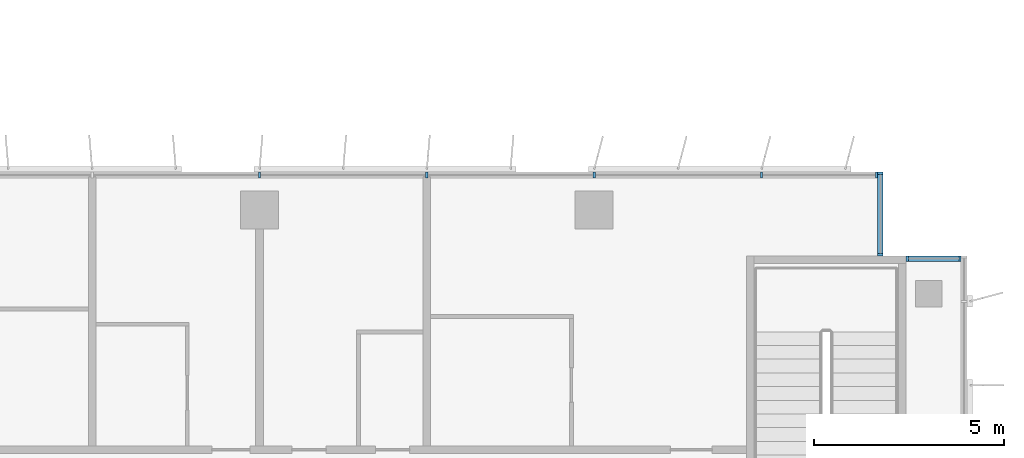
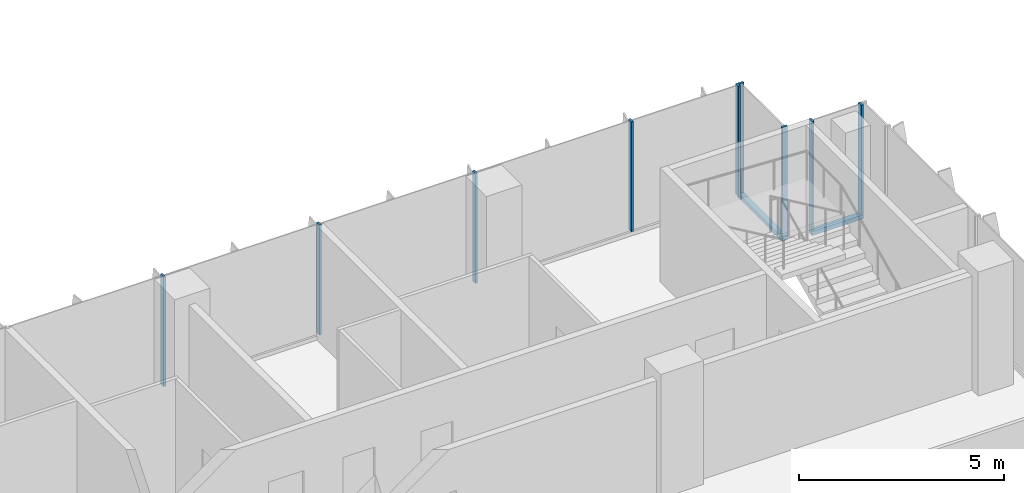
# One storey, part 4 of 21: 11 members, 3 elements without a shape of their own.
"""IFC4 building model written with IfcOpenShell, lengths in metres."""

import ifcopenshell
import ifcopenshell.guid

model = None  # the IFC model being written
_history = None  # IfcOwnerHistory: only IFC2X3 demands one
_inside = {}  # id of a spatial element -> (the spatial element, [elements in it])
_under = {}  # id of a project, library or spatial element -> (it, [spatial elements below it])
_declared = {}  # id of a project -> (the project, [libraries it declares])
_typed = {}  # id of a type object -> (the type object, [elements of that type])
_made_of = {}  # id of a material, layer set ... -> (it, [elements and type objects made of it])


def new_model(schema):
    """Start an empty IFC model of exactly this schema.

    Asked for "IFC4X3", IfcOpenShell would pick the latest addendum, in which some entities
    have other attributes; the version numbers below select the first issue.
    IFC2X3 requires an IfcOwnerHistory on every rooted entity: one is made here for all.
    """
    global model, _history
    if schema == "IFC4X3":
        model = ifcopenshell.file(schema_version=(4, 3, 0, 0))
    else:
        model = ifcopenshell.file(schema=schema)
    _inside.clear()
    _under.clear()
    _declared.clear()
    _typed.clear()
    _made_of.clear()
    _history = None
    if model.schema == "IFC2X3":
        org = make("IfcOrganization", Name="unknown")
        user = make(
            "IfcPersonAndOrganization",
            ThePerson=make("IfcPerson", FamilyName="unknown"),
            TheOrganization=org,
        )
        app = make(
            "IfcApplication",
            ApplicationDeveloper=org,
            Version="unknown",
            ApplicationFullName="unknown",
            ApplicationIdentifier="unknown",
        )
        _history = make(
            "IfcOwnerHistory",
            OwningUser=user,
            OwningApplication=app,
            ChangeAction="ADDED",
            CreationDate=0,
        )
    return model


def make(cls, **values):
    """One entity of the class cls with the attributes given. An attribute that is None is left unset."""
    return model.create_entity(
        cls, **{name: value for name, value in values.items() if value is not None}
    )


def rooted(cls, **values):
    """An entity with a GlobalId (a new one), such as an element, a storey or a relation."""
    return make(cls, GlobalId=ifcopenshell.guid.new(), OwnerHistory=_history, **values)


def si_unit(unit_type, name, prefix=None):
    """IfcSIUnit, for example si_unit("LENGTHUNIT", "METRE", prefix="MILLI")."""
    return make("IfcSIUnit", UnitType=unit_type, Prefix=prefix, Name=name)


def assignment(units):
    """IfcUnitAssignment: the units of a project."""
    return None if units is None else make("IfcUnitAssignment", Units=units)


def point(xyz):
    """IfcCartesianPoint."""
    return None if xyz is None else make("IfcCartesianPoint", Coordinates=xyz)


def direction(xyz):
    """IfcDirection."""
    return None if xyz is None else make("IfcDirection", DirectionRatios=xyz)


def frame(location, z_axis=None, x_axis=None):
    """IfcAxis2Placement3D, a coordinate frame: its origin and axes. An axis left out is left unset."""
    return make(
        "IfcAxis2Placement3D",
        Location=point(location),
        Axis=direction(z_axis),
        RefDirection=direction(x_axis),
    )


def frame_2d(location, x_axis=None):
    """IfcAxis2Placement2D, a coordinate frame in the plane: its origin and x axis."""
    return make(
        "IfcAxis2Placement2D", Location=point(location), RefDirection=direction(x_axis)
    )


def origin():
    """The frame at (0, 0, 0) with its axes left unset."""
    return frame((0.0, 0.0, 0.0))


def origin_2d():
    """The frame at (0, 0) in the plane with its x axis left unset."""
    return frame_2d((0.0, 0.0))


def place(relative_to, where):
    """IfcLocalPlacement: puts the frame where relative to a parent placement (None: the world)."""
    return make(
        "IfcLocalPlacement", PlacementRelTo=relative_to, RelativePlacement=where
    )


def context(
    kind, dimensions, precision=None, world=None, true_north=None, identifier=None
):
    """IfcGeometricRepresentationContext, for example the 3D "Model" context."""
    return make(
        "IfcGeometricRepresentationContext",
        ContextIdentifier=identifier,
        ContextType=kind,
        CoordinateSpaceDimension=dimensions,
        Precision=precision,
        WorldCoordinateSystem=world,
        TrueNorth=true_north,
    )


def subcontext(parent, identifier, kind, view, scale=None):
    """IfcGeometricRepresentationSubContext, for example "Body" below "Model"."""
    return make(
        "IfcGeometricRepresentationSubContext",
        ContextIdentifier=identifier,
        ContextType=kind,
        ParentContext=parent,
        TargetScale=scale,
        TargetView=view,
    )


def project(units=None, contexts=None):
    """IfcProject with its units and contexts."""
    return rooted(
        "IfcProject",
        Name="project",
        RepresentationContexts=contexts,
        UnitsInContext=assignment(units),
    )


def spatial(cls, under=None, at=None, **own):
    """A site, building, storey or space (cls), placed at a placement, below another one or the project."""
    s = rooted(cls, ObjectPlacement=at, **own)
    if under is not None:
        _under.setdefault(under.id(), (under, []))[1].append(s)
    return s


def profile(cls, at=None, kind="AREA", **sizes):
    """A parametric profile (cls). Its sizes go by their IFC names, for example OverallWidth=200.0."""
    return make(cls, ProfileType=kind, Position=at, **sizes)


def rectangle(**sizes):
    """IfcRectangleProfileDef."""
    return profile("IfcRectangleProfileDef", **sizes)


def extrude(swept, where, along, depth):
    """IfcExtrudedAreaSolid: the profile swept, set in the frame where, extruded along a direction by depth."""
    return make(
        "IfcExtrudedAreaSolid",
        SweptArea=swept,
        Position=where,
        ExtrudedDirection=direction(along),
        Depth=depth,
    )


def shape(context_of_items, identifier, shape_type, items):
    """IfcShapeRepresentation: the items that make up one representation, for example the "Body"."""
    return make(
        "IfcShapeRepresentation",
        ContextOfItems=context_of_items,
        RepresentationIdentifier=identifier,
        RepresentationType=shape_type,
        Items=items,
    )


def source(mapping_origin, context_of_items, identifier, shape_type, items):
    """IfcRepresentationMap: a shape defined once, which mapped items show again and again."""
    return make(
        "IfcRepresentationMap",
        MappingOrigin=mapping_origin,
        MappedRepresentation=shape(context_of_items, identifier, shape_type, items),
    )


def transform(
    local_origin,
    x_axis=None,
    y_axis=None,
    z_axis=None,
    scale=None,
    scale2=None,
    scale3=None,
    uniform=True,
):
    """IfcCartesianTransformationOperator3D, or its non-uniform kind. x_axis, y_axis, z_axis: its Axis1, 2, 3."""
    if uniform:
        return make(
            "IfcCartesianTransformationOperator3D",
            Axis1=direction(x_axis),
            Axis2=direction(y_axis),
            LocalOrigin=point(local_origin),
            Scale=scale,
            Axis3=direction(z_axis),
        )
    return make(
        "IfcCartesianTransformationOperator3DnonUniform",
        Axis1=direction(x_axis),
        Axis2=direction(y_axis),
        LocalOrigin=point(local_origin),
        Scale=scale,
        Axis3=direction(z_axis),
        Scale2=scale2,
        Scale3=scale3,
    )


def mapped(mapping_source, mapping_target):
    """IfcMappedItem: shows the shape of a source again, moved by a transform."""
    return make(
        "IfcMappedItem", MappingSource=mapping_source, MappingTarget=mapping_target
    )


def material(Name=None, Category=None):
    """IfcMaterial."""
    return make("IfcMaterial", Name=Name, Category=Category)


def material_profile(
    of_material, cross_section, Name=None, Category=None, Priority=None
):
    """IfcMaterialProfile: a cross section and its material."""
    return make(
        "IfcMaterialProfile",
        Name=Name,
        Material=of_material,
        Profile=cross_section,
        Priority=Priority,
        Category=Category,
    )


def profile_set(profiles, Name=None, composite=None):
    """IfcMaterialProfileSet."""
    return make(
        "IfcMaterialProfileSet",
        Name=Name,
        MaterialProfiles=profiles,
        CompositeProfile=composite,
    )


def made_of(thing, what):
    """Note that an element or type object is made of a material, layer set ...; save() writes the relation."""
    if what is not None:
        _made_of.setdefault(what.id(), (what, []))[1].append(thing)
    return thing


def type_object(cls, material=None, **own):
    """A type object (cls), such as IfcWallType, which elements share."""
    return made_of(rooted(cls, **own), material)


def element(
    cls,
    number,
    at=None,
    inside=None,
    cuts=None,
    type_object=None,
    material=None,
    context=None,
    identifier="Body",
    shape_type=None,
    held_by="IfcProductDefinitionShape",
    body=None,
    shapes=None,
    **own,
):
    """One element of the class cls, such as IfcWall. Its Tag is "e" and its number.

    at: its placement. inside: the storey or other place that contains it. cuts: it is an
    opening in that element (IfcRelVoidsElement). A single representation is given by context,
    identifier, shape_type and body (its items); several are given by shapes. held_by: the class
    of the entity that holds the representations. save() writes the other relations.
    """
    e = rooted(cls, Tag="e%d" % number, ObjectPlacement=at, **own)
    if body is not None:
        shapes = [shape(context, identifier, shape_type, body)]
    if shapes is not None:
        e.Representation = make(held_by, Representations=shapes)
    if inside is not None:
        _inside.setdefault(inside.id(), (inside, []))[1].append(e)
    if cuts is not None:
        rooted(
            "IfcRelVoidsElement", RelatingBuildingElement=cuts, RelatedOpeningElement=e
        )
    if type_object is not None:
        _typed.setdefault(type_object.id(), (type_object, []))[1].append(e)
    return made_of(e, material)


def aggregate(whole, parts):
    """IfcRelAggregates: a whole, such as a stair, and the parts it consists of."""
    return rooted("IfcRelAggregates", RelatingObject=whole, RelatedObjects=parts)


def save(model, path):
    """Write the relations noted so far, then the file.

    IfcRelAggregates (storeys below a building ...), IfcRelContainedInSpatialStructure (elements
    in a storey), IfcRelDefinesByType, IfcRelAssociatesMaterial and IfcRelDeclares: one each for
    every whole, place, type object, material and project.
    """
    for whole, parts in _under.values():
        aggregate(whole, parts)
    for where, things in _inside.values():
        rooted(
            "IfcRelContainedInSpatialStructure",
            RelatedElements=things,
            RelatingStructure=where,
        )
    for kind, things in _typed.values():
        rooted("IfcRelDefinesByType", RelatedObjects=things, RelatingType=kind)
    for what, things in _made_of.values():
        rooted("IfcRelAssociatesMaterial", RelatedObjects=things, RelatingMaterial=what)
    for by, libraries in _declared.values():
        rooted("IfcRelDeclares", RelatingContext=by, RelatedDefinitions=libraries)
    model.write(path)


model = new_model("IFC4")

# Units and contexts
model_context = context("Model", 3, precision=1e-05, world=origin(), true_north=direction((0.0, 1.0)))
body_context = subcontext(model_context, "Body", "Model", "MODEL_VIEW")
ifc_project = project(units=[si_unit("LENGTHUNIT", "METRE"), si_unit("AREAUNIT", "SQUARE_METRE"), si_unit("VOLUMEUNIT", "CUBIC_METRE"), si_unit("PLANEANGLEUNIT", "RADIAN"), si_unit("MASSUNIT", "GRAM", prefix="KILO")], contexts=[model_context])

# Site, building, storey
site_placement = place(None, origin())
site = spatial("IfcSite", under=ifc_project, at=site_placement, CompositionType="ELEMENT")
building_placement = place(site_placement, origin())
building = spatial("IfcBuilding", under=site, at=building_placement, Name="Kemantara Hotel Tower", CompositionType="ELEMENT")
storey_placement = place(building_placement, frame((0.0, 0.0, 175.300048828125)))
storey = spatial("IfcBuildingStorey", under=building, at=storey_placement, Name="L43", CompositionType="ELEMENT", Elevation=175.300048828125)

# Curtain wall, member
ifc_material_1 = material(Name="Low-E tinted double insulated glass 36 mm", Category="glass")
curtain_wall_type = type_object("IfcCurtainWallType", Name="TOWER CURTAIN WALL, FRONT FACES", PredefinedType="USERDEFINED", material=ifc_material_1)
curtain_wall_1_placement = place(storey_placement, origin())
curtain_wall_1 = element("IfcCurtainWall", 1, at=curtain_wall_1_placement, inside=storey, type_object=curtain_wall_type, Name="CW4 L43 T3-R12-1", ObjectType="TOWER CURTAIN WALL, FRONT FACES", PredefinedType="USERDEFINED")
ifc_material_2 = material(Name="Aluminium 6063-T6 bronze anodised", Category="aluminium")
ifc_material_profile_1 = material_profile(ifc_material_2, rectangle(XDim=0.14990234375, YDim=0.1201171875, at=origin_2d()), Name="TOWER CURTAIN WALL, FRONT FACES TRANSOM")
ifc_profile_set_1 = profile_set([ifc_material_profile_1], Name="Aluminium 6063-T6 bronze anodised")
member_type_1 = type_object("IfcMemberType", Name="TOWER CURTAIN WALL, FRONT FACES TRANSOM", PredefinedType="USERDEFINED", material=ifc_profile_set_1)
member_1_placement = place(storey_placement, frame((63.449951171875, 19.72509765625, 0.06005859375), z_axis=(-1.0, 0.0, 0.0), x_axis=(0.0, -1.0, 0.0)))
member_1 = element("IfcMember", 2, at=member_1_placement, type_object=member_type_1, Name="CW4 sill transom T3-R12-1", ObjectType="TRANSOM", PredefinedType="USERDEFINED", context=body_context, shape_type="SweptSolid", body=[
    extrude(rectangle(XDim=0.14990234375, YDim=0.1201171875, at=origin_2d()), origin(), (0.0, 0.0, 1.0), 1.449951171875),
])

curtain_wall_2_placement = place(storey_placement, origin())
curtain_wall_2 = element("IfcCurtainWall", 3, at=curtain_wall_2_placement, inside=storey, type_object=curtain_wall_type, Name="CW4 L43 T3-R13-1", ObjectType="TOWER CURTAIN WALL, FRONT FACES", PredefinedType="USERDEFINED")
member_2_placement = place(storey_placement, frame((61.324951171875, 19.800048828125, 0.06005859375), z_axis=(0.0, 1.0, 0.0), x_axis=(-1.0, 0.0, 0.0)))
member_2 = element("IfcMember", 4, at=member_2_placement, type_object=member_type_1, Name="CW4 sill transom T3-R13-1", ObjectType="TRANSOM", PredefinedType="USERDEFINED", context=body_context, shape_type="SweptSolid", body=[
    extrude(rectangle(XDim=0.14990234375, YDim=0.1201171875, at=origin_2d()), origin(), (0.0, 0.0, 1.0), 2.199951171875),
])

# Curtain wall, members
curtain_wall_3_placement = place(storey_placement, origin())
curtain_wall_3 = element("IfcCurtainWall", 5, at=curtain_wall_3_placement, inside=storey, type_object=curtain_wall_type, Name="CW4 L43 T3-R14-1", ObjectType="TOWER CURTAIN WALL, FRONT FACES", PredefinedType="USERDEFINED")
ifc_material_profile_2 = material_profile(ifc_material_2, rectangle(XDim=0.14990234375, YDim=0.06005859375, at=origin_2d()), Name="TOWER CURTAIN WALL, FRONT FACES MULLION")
ifc_profile_set_2 = profile_set([ifc_material_profile_2], Name="Aluminium 6063-T6 bronze anodised")
member_type_2 = type_object("IfcMemberType", Name="TOWER CURTAIN WALL, FRONT FACES MULLION", PredefinedType="MULLION", material=ifc_profile_set_2)
shared_shape = source(origin(), body_context, "Body", "SweptSolid", [
    extrude(rectangle(XDim=0.14990234375, YDim=0.06005859375, at=origin_2d()), origin(), (0.0, 0.0, 1.0), 3.280029296875),
])
member_3_placement = place(storey_placement, frame((61.219970703125, 21.925048828125, 0.119873046875), z_axis=(0.0, 0.0, 1.0), x_axis=(0.0, -1.0, 0.0)))
member_3 = element("IfcMember", 6, at=member_3_placement, type_object=member_type_2, Name="CW4 mullion T3-R14-1.1", PredefinedType="MULLION", context=body_context, shape_type="MappedRepresentation", body=[
    mapped(shared_shape, transform((0.0, 0.0, 0.0))),
])
member_4_placement = place(storey_placement, frame((58.199951171875, 21.925048828125, 0.119873046875), z_axis=(0.0, 0.0, 1.0), x_axis=(0.0, -1.0, 0.0)))
member_4 = element("IfcMember", 7, at=member_4_placement, type_object=member_type_2, Name="CW4 mullion T3-R14-1.2", PredefinedType="MULLION", context=body_context, shape_type="MappedRepresentation", body=[
    mapped(shared_shape, transform((0.0, 0.0, 0.0))),
])
member_5_placement = place(storey_placement, frame((53.800048828125, 21.925048828125, 0.119873046875), z_axis=(0.0, 0.0, 1.0), x_axis=(0.0, -1.0, 0.0)))
member_5 = element("IfcMember", 8, at=member_5_placement, type_object=member_type_2, Name="CW4 mullion T3-R14-1.3", PredefinedType="MULLION", context=body_context, shape_type="MappedRepresentation", body=[
    mapped(shared_shape, transform((0.0, 0.0, 0.0))),
])
member_6_placement = place(storey_placement, frame((49.39990234375, 21.925048828125, 0.119873046875), z_axis=(0.0, 0.0, 1.0), x_axis=(0.0, -1.0, 0.0)))
member_6 = element("IfcMember", 9, at=member_6_placement, type_object=member_type_2, Name="CW4 mullion T3-R14-1.4", PredefinedType="MULLION", context=body_context, shape_type="MappedRepresentation", body=[
    mapped(shared_shape, transform((0.0, 0.0, 0.0))),
])
member_7_placement = place(storey_placement, frame((45.0, 21.925048828125, 0.119873046875), z_axis=(0.0, 0.0, 1.0), x_axis=(0.0, -1.0, 0.0)))
member_7 = element("IfcMember", 10, at=member_7_placement, type_object=member_type_2, Name="CW4 mullion T3-R14-1.5", PredefinedType="MULLION", context=body_context, shape_type="MappedRepresentation", body=[
    mapped(shared_shape, transform((0.0, 0.0, 0.0))),
])
aggregate(curtain_wall_3, [member_3, member_4, member_5, member_6, member_7])

# Member
member_8_placement = place(storey_placement, frame((63.419921875, 19.72509765625, 0.119873046875), z_axis=(0.0, 0.0, 1.0), x_axis=(0.0, -1.0, 0.0)))
member_8 = element("IfcMember", 11, at=member_8_placement, type_object=member_type_2, Name="CW4 mullion T3-R12-1.1", PredefinedType="MULLION", context=body_context, shape_type="MappedRepresentation", body=[
    mapped(shared_shape, transform((0.0, 0.0, 0.0))),
])

member_9_placement = place(storey_placement, frame((62.030029296875, 19.72509765625, 0.119873046875), z_axis=(0.0, 0.0, 1.0), x_axis=(0.0, -1.0, 0.0)))
member_9 = element("IfcMember", 12, at=member_9_placement, type_object=member_type_2, Name="CW4 mullion T3-R12-1.2", PredefinedType="MULLION", context=body_context, shape_type="MappedRepresentation", body=[
    mapped(shared_shape, transform((0.0, 0.0, 0.0))),
])

aggregate(curtain_wall_1, [member_1, member_8, member_9])

member_10_placement = place(storey_placement, frame((61.324951171875, 19.830078125, 0.119873046875), z_axis=(0.0, 0.0, 1.0), x_axis=(-1.0, 0.0, 0.0)))
member_10 = element("IfcMember", 13, at=member_10_placement, type_object=member_type_2, Name="CW4 mullion T3-R13-1.1", PredefinedType="MULLION", context=body_context, shape_type="MappedRepresentation", body=[
    mapped(shared_shape, transform((0.0, 0.0, 0.0))),
])

member_11_placement = place(storey_placement, frame((61.324951171875, 21.969970703125, 0.119873046875), z_axis=(0.0, 0.0, 1.0), x_axis=(-1.0, 0.0, 0.0)))
member_11 = element("IfcMember", 14, at=member_11_placement, type_object=member_type_2, Name="CW4 mullion T3-R13-1.2", PredefinedType="MULLION", context=body_context, shape_type="MappedRepresentation", body=[
    mapped(shared_shape, transform((0.0, 0.0, 0.0))),
])

aggregate(curtain_wall_2, [member_2, member_10, member_11])

save(model, "model.ifc")
